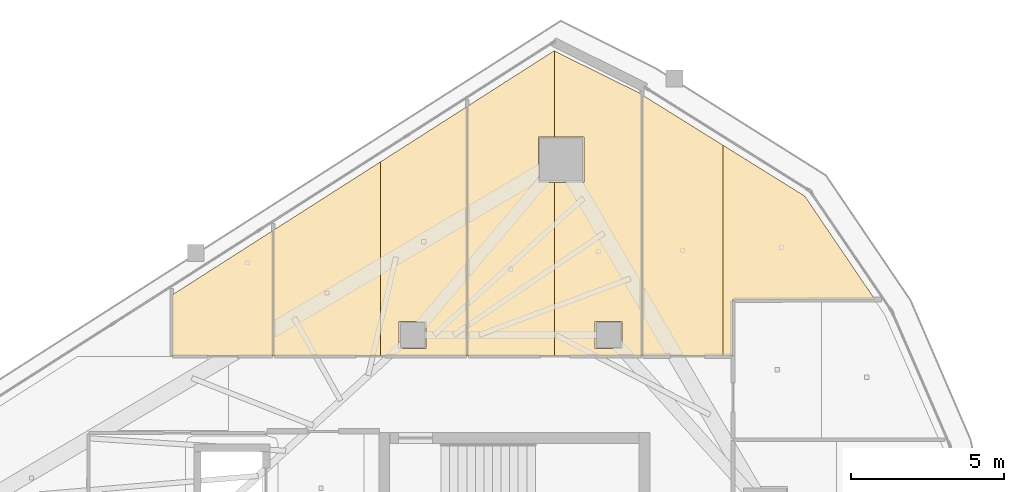
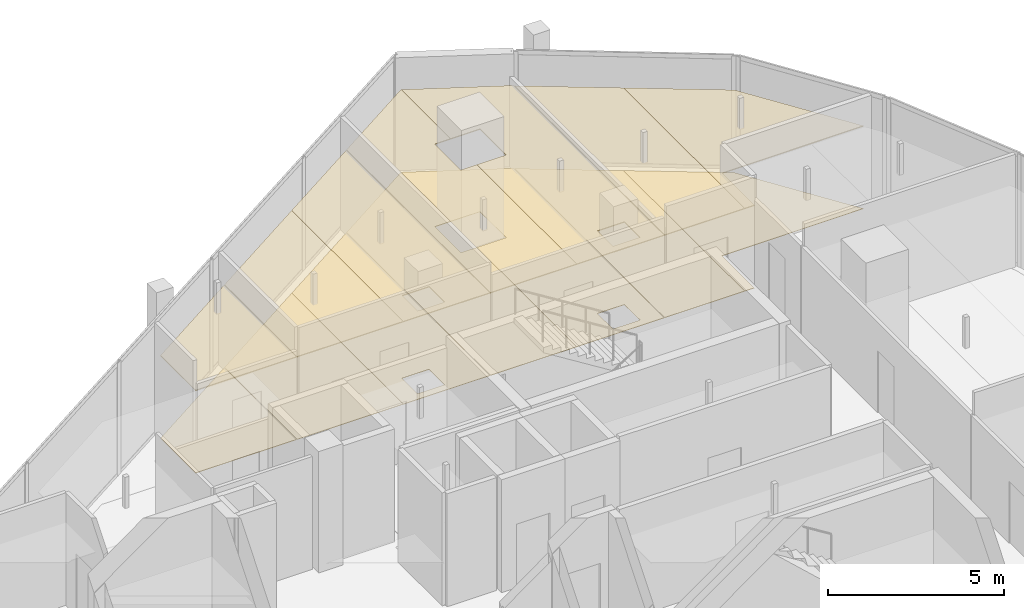
# One storey, part 24 of 24: 14 coverings.
"""IFC4 building model written with IfcOpenShell, lengths in metres."""

import ifcopenshell
import ifcopenshell.guid

model = None  # the IFC model being written
_history = None  # IfcOwnerHistory: only IFC2X3 demands one
_inside = {}  # id of a spatial element -> (the spatial element, [elements in it])
_under = {}  # id of a project, library or spatial element -> (it, [spatial elements below it])
_declared = {}  # id of a project -> (the project, [libraries it declares])
_typed = {}  # id of a type object -> (the type object, [elements of that type])
_made_of = {}  # id of a material, layer set ... -> (it, [elements and type objects made of it])


def new_model(schema):
    """Start an empty IFC model of exactly this schema.

    Asked for "IFC4X3", IfcOpenShell would pick the latest addendum, in which some entities
    have other attributes; the version numbers below select the first issue.
    IFC2X3 requires an IfcOwnerHistory on every rooted entity: one is made here for all.
    """
    global model, _history
    if schema == "IFC4X3":
        model = ifcopenshell.file(schema_version=(4, 3, 0, 0))
    else:
        model = ifcopenshell.file(schema=schema)
    _inside.clear()
    _under.clear()
    _declared.clear()
    _typed.clear()
    _made_of.clear()
    _history = None
    if model.schema == "IFC2X3":
        org = make("IfcOrganization", Name="unknown")
        user = make(
            "IfcPersonAndOrganization",
            ThePerson=make("IfcPerson", FamilyName="unknown"),
            TheOrganization=org,
        )
        app = make(
            "IfcApplication",
            ApplicationDeveloper=org,
            Version="unknown",
            ApplicationFullName="unknown",
            ApplicationIdentifier="unknown",
        )
        _history = make(
            "IfcOwnerHistory",
            OwningUser=user,
            OwningApplication=app,
            ChangeAction="ADDED",
            CreationDate=0,
        )
    return model


def make(cls, **values):
    """One entity of the class cls with the attributes given. An attribute that is None is left unset."""
    return model.create_entity(
        cls, **{name: value for name, value in values.items() if value is not None}
    )


def rooted(cls, **values):
    """An entity with a GlobalId (a new one), such as an element, a storey or a relation."""
    return make(cls, GlobalId=ifcopenshell.guid.new(), OwnerHistory=_history, **values)


def si_unit(unit_type, name, prefix=None):
    """IfcSIUnit, for example si_unit("LENGTHUNIT", "METRE", prefix="MILLI")."""
    return make("IfcSIUnit", UnitType=unit_type, Prefix=prefix, Name=name)


def assignment(units):
    """IfcUnitAssignment: the units of a project."""
    return None if units is None else make("IfcUnitAssignment", Units=units)


def point(xyz):
    """IfcCartesianPoint."""
    return None if xyz is None else make("IfcCartesianPoint", Coordinates=xyz)


def direction(xyz):
    """IfcDirection."""
    return None if xyz is None else make("IfcDirection", DirectionRatios=xyz)


def frame(location, z_axis=None, x_axis=None):
    """IfcAxis2Placement3D, a coordinate frame: its origin and axes. An axis left out is left unset."""
    return make(
        "IfcAxis2Placement3D",
        Location=point(location),
        Axis=direction(z_axis),
        RefDirection=direction(x_axis),
    )


def origin():
    """The frame at (0, 0, 0) with its axes left unset."""
    return frame((0.0, 0.0, 0.0))


def place(relative_to, where):
    """IfcLocalPlacement: puts the frame where relative to a parent placement (None: the world)."""
    return make(
        "IfcLocalPlacement", PlacementRelTo=relative_to, RelativePlacement=where
    )


def context(
    kind, dimensions, precision=None, world=None, true_north=None, identifier=None
):
    """IfcGeometricRepresentationContext, for example the 3D "Model" context."""
    return make(
        "IfcGeometricRepresentationContext",
        ContextIdentifier=identifier,
        ContextType=kind,
        CoordinateSpaceDimension=dimensions,
        Precision=precision,
        WorldCoordinateSystem=world,
        TrueNorth=true_north,
    )


def subcontext(parent, identifier, kind, view, scale=None):
    """IfcGeometricRepresentationSubContext, for example "Body" below "Model"."""
    return make(
        "IfcGeometricRepresentationSubContext",
        ContextIdentifier=identifier,
        ContextType=kind,
        ParentContext=parent,
        TargetScale=scale,
        TargetView=view,
    )


def project(units=None, contexts=None):
    """IfcProject with its units and contexts."""
    return rooted(
        "IfcProject",
        Name="project",
        RepresentationContexts=contexts,
        UnitsInContext=assignment(units),
    )


def spatial(cls, under=None, at=None, **own):
    """A site, building, storey or space (cls), placed at a placement, below another one or the project."""
    s = rooted(cls, ObjectPlacement=at, **own)
    if under is not None:
        _under.setdefault(under.id(), (under, []))[1].append(s)
    return s


def polyline(points):
    """IfcPolyline through the points."""
    return make("IfcPolyline", Points=[point(p) for p in points])


def outline(outer, holes=None, kind="AREA"):
    """IfcArbitraryClosedProfileDef: a profile drawn as a closed curve; with holes, ...WithVoids."""
    if holes is None:
        return make("IfcArbitraryClosedProfileDef", ProfileType=kind, OuterCurve=outer)
    return make(
        "IfcArbitraryProfileDefWithVoids",
        ProfileType=kind,
        OuterCurve=outer,
        InnerCurves=holes,
    )


def extrude(swept, where, along, depth):
    """IfcExtrudedAreaSolid: the profile swept, set in the frame where, extruded along a direction by depth."""
    return make(
        "IfcExtrudedAreaSolid",
        SweptArea=swept,
        Position=where,
        ExtrudedDirection=direction(along),
        Depth=depth,
    )


def shape(context_of_items, identifier, shape_type, items):
    """IfcShapeRepresentation: the items that make up one representation, for example the "Body"."""
    return make(
        "IfcShapeRepresentation",
        ContextOfItems=context_of_items,
        RepresentationIdentifier=identifier,
        RepresentationType=shape_type,
        Items=items,
    )


def material(Name=None, Category=None):
    """IfcMaterial."""
    return make("IfcMaterial", Name=Name, Category=Category)


def layer(
    of_material, thickness, ventilated=None, Name=None, Category=None, Priority=None
):
    """IfcMaterialLayer: one layer of a wall or slab, of a material (None: an air gap)."""
    return make(
        "IfcMaterialLayer",
        Material=of_material,
        LayerThickness=thickness,
        IsVentilated=ventilated,
        Name=Name,
        Category=Category,
        Priority=Priority,
    )


def layer_set(layers, Name=None):
    """IfcMaterialLayerSet."""
    return make("IfcMaterialLayerSet", MaterialLayers=layers, LayerSetName=Name)


def made_of(thing, what):
    """Note that an element or type object is made of a material, layer set ...; save() writes the relation."""
    if what is not None:
        _made_of.setdefault(what.id(), (what, []))[1].append(thing)
    return thing


def type_object(cls, material=None, **own):
    """A type object (cls), such as IfcWallType, which elements share."""
    return made_of(rooted(cls, **own), material)


def element(
    cls,
    number,
    at=None,
    inside=None,
    cuts=None,
    type_object=None,
    material=None,
    context=None,
    identifier="Body",
    shape_type=None,
    held_by="IfcProductDefinitionShape",
    body=None,
    shapes=None,
    **own,
):
    """One element of the class cls, such as IfcWall. Its Tag is "e" and its number.

    at: its placement. inside: the storey or other place that contains it. cuts: it is an
    opening in that element (IfcRelVoidsElement). A single representation is given by context,
    identifier, shape_type and body (its items); several are given by shapes. held_by: the class
    of the entity that holds the representations. save() writes the other relations.
    """
    e = rooted(cls, Tag="e%d" % number, ObjectPlacement=at, **own)
    if body is not None:
        shapes = [shape(context, identifier, shape_type, body)]
    if shapes is not None:
        e.Representation = make(held_by, Representations=shapes)
    if inside is not None:
        _inside.setdefault(inside.id(), (inside, []))[1].append(e)
    if cuts is not None:
        rooted(
            "IfcRelVoidsElement", RelatingBuildingElement=cuts, RelatedOpeningElement=e
        )
    if type_object is not None:
        _typed.setdefault(type_object.id(), (type_object, []))[1].append(e)
    return made_of(e, material)


def aggregate(whole, parts):
    """IfcRelAggregates: a whole, such as a stair, and the parts it consists of."""
    return rooted("IfcRelAggregates", RelatingObject=whole, RelatedObjects=parts)


def save(model, path):
    """Write the relations noted so far, then the file.

    IfcRelAggregates (storeys below a building ...), IfcRelContainedInSpatialStructure (elements
    in a storey), IfcRelDefinesByType, IfcRelAssociatesMaterial and IfcRelDeclares: one each for
    every whole, place, type object, material and project.
    """
    for whole, parts in _under.values():
        aggregate(whole, parts)
    for where, things in _inside.values():
        rooted(
            "IfcRelContainedInSpatialStructure",
            RelatedElements=things,
            RelatingStructure=where,
        )
    for kind, things in _typed.values():
        rooted("IfcRelDefinesByType", RelatedObjects=things, RelatingType=kind)
    for what, things in _made_of.values():
        rooted("IfcRelAssociatesMaterial", RelatedObjects=things, RelatingMaterial=what)
    for by, libraries in _declared.values():
        rooted("IfcRelDeclares", RelatingContext=by, RelatedDefinitions=libraries)
    model.write(path)


model = new_model("IFC4")

# Units and contexts
model_context = context("Model", 3, precision=1e-05, world=origin(), true_north=direction((0.0, 1.0)))
body_context = subcontext(model_context, "Body", "Model", "MODEL_VIEW")
ifc_project = project(units=[si_unit("LENGTHUNIT", "METRE"), si_unit("AREAUNIT", "SQUARE_METRE"), si_unit("VOLUMEUNIT", "CUBIC_METRE"), si_unit("PLANEANGLEUNIT", "RADIAN"), si_unit("MASSUNIT", "GRAM", prefix="KILO")], contexts=[model_context])

# Site, building, storey
site_placement = place(None, origin())
site = spatial("IfcSite", under=ifc_project, at=site_placement, CompositionType="ELEMENT")
building_placement = place(site_placement, origin())
building = spatial("IfcBuilding", under=site, at=building_placement, Name="Qorvath Tower", CompositionType="ELEMENT")
storey_placement = place(building_placement, frame((0.0, 0.0, 318.60009765625)))
storey = spatial("IfcBuildingStorey", under=building, at=storey_placement, Name="L74", CompositionType="ELEMENT", Elevation=318.60009765625)

# Coverings
ifc_material_1 = material(Name="Acoustic mineral fibre ceiling tile", Category="gypsum")
ifc_layer_1 = layer(ifc_material_1, 0.030029296875)
ifc_layer_set_1 = layer_set([ifc_layer_1], Name="COV-CEIL")
covering_type_1 = type_object("IfcCoveringType", Name="COV-CEIL", PredefinedType="CEILING", material=ifc_layer_set_1)
covering_1_placement = place(storey_placement, frame((0.0, 0.0, 2.849853515625)))
element("IfcCovering", 1, at=covering_1_placement, inside=storey, type_object=covering_type_1, Name="L74 Suspended Acoustic Ceiling 012", PredefinedType="CEILING", context=body_context, shape_type="SweptSolid", body=[
    extrude(outline(polyline([(-28.15234375, 14.863037109375), (-31.455810546875, 12.751708984375), (-31.455810546875, 10.762939453125), (-28.15234375, 10.762939453125), (-28.15234375, 14.863037109375)])), origin(), (0.0, 0.0, 1.0), 0.030029296875),
])
covering_2_placement = place(storey_placement, frame((0.0, 0.0, 2.849853515625)))
element("IfcCovering", 2, at=covering_2_placement, inside=storey, type_object=covering_type_1, Name="L74 Suspended Acoustic Ceiling 013", PredefinedType="CEILING", context=body_context, shape_type="SweptSolid", body=[
    extrude(outline(polyline([(-24.651611328125, 10.762939453125), (-24.651611328125, 17.099365234375), (-28.13427734375, 14.87451171875), (-28.13427734375, 10.762939453125), (-24.651611328125, 10.762939453125)])), origin(), (0.0, 0.0, 1.0), 0.030029296875),
])
covering_3_placement = place(storey_placement, frame((0.0, 0.0, 2.849853515625)))
element("IfcCovering", 3, at=covering_3_placement, inside=storey, type_object=covering_type_1, Name="L74 Suspended Acoustic Ceiling 014", PredefinedType="CEILING", context=body_context, shape_type="SweptSolid", body=[
    extrude(outline(polyline([(-21.818115234375, 10.762939453125), (-21.8203125, 18.908203125), (-24.651611328125, 17.099365234375), (-24.651611328125, 10.762939453125), (-21.818115234375, 10.762939453125)]), holes=[polyline([(-24.04248046875, 11.007568359375), (-24.04248046875, 11.892333984375), (-23.157470703125, 11.892333984375), (-23.157470703125, 11.007568359375), (-24.04248046875, 11.007568359375)])]), origin(), (0.0, 0.0, 1.0), 0.030029296875),
])
covering_4_placement = place(storey_placement, frame((0.0, 0.0, 2.849853515625)))
element("IfcCovering", 4, at=covering_4_placement, inside=storey, type_object=covering_type_1, Name="L74 Suspended Acoustic Ceiling 015", PredefinedType="CEILING", context=body_context, shape_type="SweptSolid", body=[
    extrude(outline(polyline([(-18.97314453125, 10.762939453125), (-18.97314453125, 16.43310546875), (-19.492919921875, 16.43310546875), (-19.492919921875, 17.91796875), (-18.97314453125, 17.91796875), (-18.97314453125, 20.72265625), (-18.9794921875, 20.725830078125), (-21.80224609375, 18.921630859375), (-21.800048828125, 10.762939453125), (-18.97314453125, 10.762939453125)])), origin(), (0.0, 0.0, 1.0), 0.030029296875),
])
covering_5_placement = place(storey_placement, frame((0.0, 0.0, 2.849853515625)))
element("IfcCovering", 5, at=covering_5_placement, inside=storey, type_object=covering_type_1, Name="L74 Suspended Acoustic Ceiling 016", PredefinedType="CEILING", context=body_context, shape_type="SweptSolid", body=[
    extrude(outline(polyline([(-16.111328125, 10.762939453125), (-16.1123046875, 19.30908203125), (-18.97314453125, 20.72265625), (-18.97314453125, 17.91796875), (-18.008056640625, 17.91796875), (-18.008056640625, 16.43310546875), (-18.97314453125, 16.43310546875), (-18.97314453125, 10.762939453125), (-16.111328125, 10.762939453125)]), holes=[polyline([(-17.642333984375, 11.007568359375), (-17.642333984375, 11.892333984375), (-16.757568359375, 11.892333984375), (-16.757568359375, 11.007568359375), (-17.642333984375, 11.007568359375)])]), origin(), (0.0, 0.0, 1.0), 0.030029296875),
])
covering_6_placement = place(storey_placement, frame((0.0, 0.0, 2.849853515625)))
element("IfcCovering", 6, at=covering_6_placement, inside=storey, type_object=covering_type_1, Name="L74 Suspended Acoustic Ceiling 017", PredefinedType="CEILING", context=body_context, shape_type="SweptSolid", body=[
    extrude(outline(polyline([(-13.470947265625, 10.762939453125), (-13.470947265625, 17.647216796875), (-16.09423828125, 19.2802734375), (-16.09326171875, 10.762939453125), (-13.470947265625, 10.762939453125)])), origin(), (0.0, 0.0, 1.0), 0.030029296875),
])
covering_7_placement = place(storey_placement, frame((0.0, 0.0, 2.849853515625)))
element("IfcCovering", 7, at=covering_7_placement, inside=storey, type_object=covering_type_1, Name="L74 Suspended Acoustic Ceiling 018", PredefinedType="CEILING", context=body_context, shape_type="SweptSolid", body=[
    extrude(outline(polyline([(-13.153564453125, 12.595947265625), (-8.511962890625, 12.615478515625), (-10.794189453125, 15.981201171875), (-13.470947265625, 17.647216796875), (-13.470947265625, 10.762939453125), (-13.155029296875, 10.762939453125), (-13.153564453125, 12.595947265625)])), origin(), (0.0, 0.0, 1.0), 0.030029296875),
])
ifc_material_2 = material(Name="Low-VOC modular carpet tile", Category="textile")
ifc_layer_2 = layer(ifc_material_2, 0.014892578125)
ifc_layer_set_2 = layer_set([ifc_layer_2], Name="COV-FLOOR-CPT")
covering_type_2 = type_object("IfcCoveringType", Name="COV-FLOOR-CPT", PredefinedType="FLOORING", material=ifc_layer_set_2)
covering_8_placement = place(storey_placement, origin())
element("IfcCovering", 8, at=covering_8_placement, inside=storey, type_object=covering_type_2, Name="L74 Floor Finish 012", PredefinedType="FLOORING", context=body_context, shape_type="SweptSolid", body=[
    extrude(outline(polyline([(-28.15234375, 14.863037109375), (-31.455810546875, 12.751708984375), (-31.455810546875, 10.762939453125), (-28.15234375, 10.762939453125), (-28.15234375, 14.863037109375)])), origin(), (0.0, 0.0, 1.0), 0.014892578125),
])
covering_9_placement = place(storey_placement, origin())
element("IfcCovering", 9, at=covering_9_placement, inside=storey, type_object=covering_type_2, Name="L74 Floor Finish 013", PredefinedType="FLOORING", context=body_context, shape_type="SweptSolid", body=[
    extrude(outline(polyline([(-24.651611328125, 10.762939453125), (-24.651611328125, 17.099365234375), (-28.13427734375, 14.87451171875), (-28.13427734375, 10.762939453125), (-24.651611328125, 10.762939453125)])), origin(), (0.0, 0.0, 1.0), 0.014892578125),
])
covering_10_placement = place(storey_placement, origin())
element("IfcCovering", 10, at=covering_10_placement, inside=storey, type_object=covering_type_2, Name="L74 Floor Finish 014", PredefinedType="FLOORING", context=body_context, shape_type="SweptSolid", body=[
    extrude(outline(polyline([(-21.818115234375, 10.762939453125), (-21.8203125, 18.908203125), (-24.651611328125, 17.099365234375), (-24.651611328125, 10.762939453125), (-21.818115234375, 10.762939453125)]), holes=[polyline([(-24.04248046875, 11.007568359375), (-24.04248046875, 11.892333984375), (-23.157470703125, 11.892333984375), (-23.157470703125, 11.007568359375), (-24.04248046875, 11.007568359375)])]), origin(), (0.0, 0.0, 1.0), 0.014892578125),
])
covering_11_placement = place(storey_placement, origin())
element("IfcCovering", 11, at=covering_11_placement, inside=storey, type_object=covering_type_2, Name="L74 Floor Finish 015", PredefinedType="FLOORING", context=body_context, shape_type="SweptSolid", body=[
    extrude(outline(polyline([(-18.97314453125, 10.762939453125), (-18.97314453125, 16.43310546875), (-19.492919921875, 16.43310546875), (-19.492919921875, 17.91796875), (-18.97314453125, 17.91796875), (-18.97314453125, 20.72265625), (-18.9794921875, 20.725830078125), (-21.80224609375, 18.921630859375), (-21.800048828125, 10.762939453125), (-18.97314453125, 10.762939453125)])), origin(), (0.0, 0.0, 1.0), 0.014892578125),
])
covering_12_placement = place(storey_placement, origin())
element("IfcCovering", 12, at=covering_12_placement, inside=storey, type_object=covering_type_2, Name="L74 Floor Finish 016", PredefinedType="FLOORING", context=body_context, shape_type="SweptSolid", body=[
    extrude(outline(polyline([(-16.111328125, 10.762939453125), (-16.1123046875, 19.30908203125), (-18.97314453125, 20.72265625), (-18.97314453125, 17.91796875), (-18.008056640625, 17.91796875), (-18.008056640625, 16.43310546875), (-18.97314453125, 16.43310546875), (-18.97314453125, 10.762939453125), (-16.111328125, 10.762939453125)]), holes=[polyline([(-17.642333984375, 11.007568359375), (-17.642333984375, 11.892333984375), (-16.757568359375, 11.892333984375), (-16.757568359375, 11.007568359375), (-17.642333984375, 11.007568359375)])]), origin(), (0.0, 0.0, 1.0), 0.014892578125),
])
covering_13_placement = place(storey_placement, origin())
element("IfcCovering", 13, at=covering_13_placement, inside=storey, type_object=covering_type_2, Name="L74 Floor Finish 017", PredefinedType="FLOORING", context=body_context, shape_type="SweptSolid", body=[
    extrude(outline(polyline([(-13.470947265625, 10.762939453125), (-13.470947265625, 17.647216796875), (-16.09423828125, 19.2802734375), (-16.09326171875, 10.762939453125), (-13.470947265625, 10.762939453125)])), origin(), (0.0, 0.0, 1.0), 0.014892578125),
])
covering_14_placement = place(storey_placement, origin())
element("IfcCovering", 14, at=covering_14_placement, inside=storey, type_object=covering_type_2, Name="L74 Floor Finish 018", PredefinedType="FLOORING", context=body_context, shape_type="SweptSolid", body=[
    extrude(outline(polyline([(-13.153564453125, 12.595947265625), (-8.511962890625, 12.615478515625), (-10.794189453125, 15.981201171875), (-13.470947265625, 17.647216796875), (-13.470947265625, 10.762939453125), (-13.155029296875, 10.762939453125), (-13.153564453125, 12.595947265625)])), origin(), (0.0, 0.0, 1.0), 0.014892578125),
])

save(model, "model.ifc")
